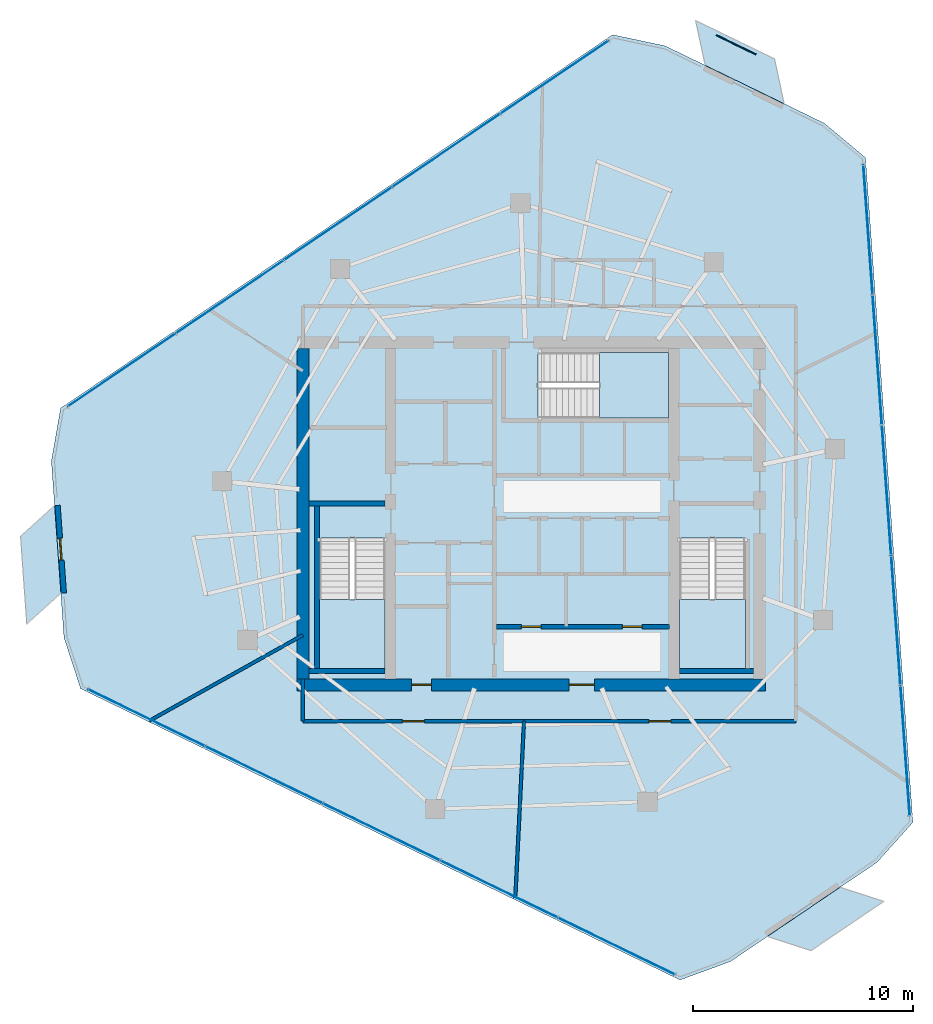
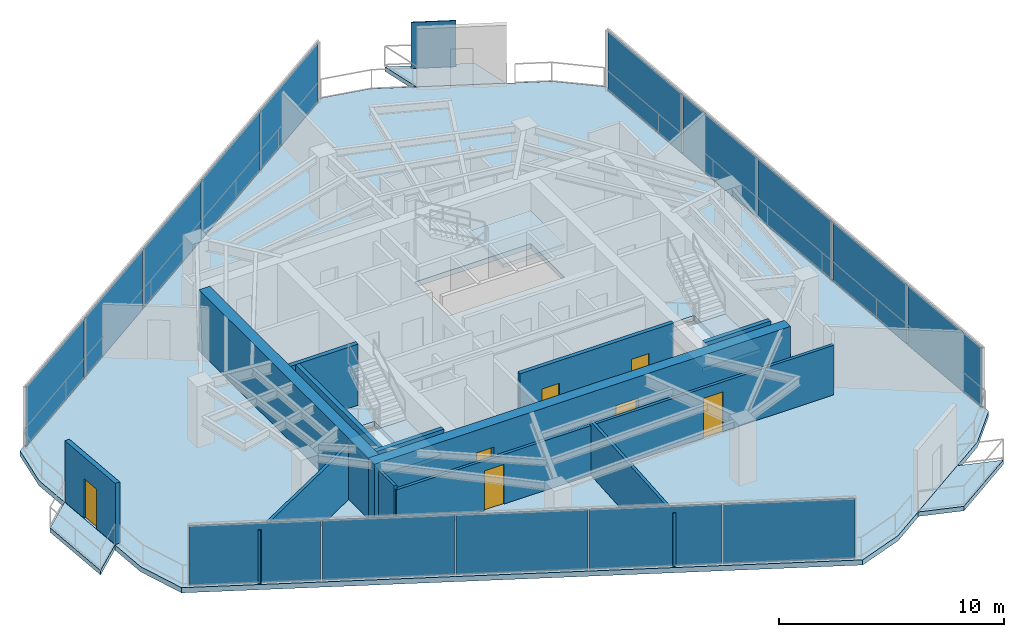
# One storey, part 16 of 20: 16 plates, 13 walls, 7 doors, 7 slabs, 7 openings, 6 elements without a shape of their own.
"""IFC4 building model written with IfcOpenShell, lengths in metres."""

import ifcopenshell
import ifcopenshell.guid

model = None  # the IFC model being written
_history = None  # IfcOwnerHistory: only IFC2X3 demands one
_inside = {}  # id of a spatial element -> (the spatial element, [elements in it])
_under = {}  # id of a project, library or spatial element -> (it, [spatial elements below it])
_declared = {}  # id of a project -> (the project, [libraries it declares])
_typed = {}  # id of a type object -> (the type object, [elements of that type])
_made_of = {}  # id of a material, layer set ... -> (it, [elements and type objects made of it])


def new_model(schema):
    """Start an empty IFC model of exactly this schema.

    Asked for "IFC4X3", IfcOpenShell would pick the latest addendum, in which some entities
    have other attributes; the version numbers below select the first issue.
    IFC2X3 requires an IfcOwnerHistory on every rooted entity: one is made here for all.
    """
    global model, _history
    if schema == "IFC4X3":
        model = ifcopenshell.file(schema_version=(4, 3, 0, 0))
    else:
        model = ifcopenshell.file(schema=schema)
    _inside.clear()
    _under.clear()
    _declared.clear()
    _typed.clear()
    _made_of.clear()
    _history = None
    if model.schema == "IFC2X3":
        org = make("IfcOrganization", Name="unknown")
        user = make(
            "IfcPersonAndOrganization",
            ThePerson=make("IfcPerson", FamilyName="unknown"),
            TheOrganization=org,
        )
        app = make(
            "IfcApplication",
            ApplicationDeveloper=org,
            Version="unknown",
            ApplicationFullName="unknown",
            ApplicationIdentifier="unknown",
        )
        _history = make(
            "IfcOwnerHistory",
            OwningUser=user,
            OwningApplication=app,
            ChangeAction="ADDED",
            CreationDate=0,
        )
    return model


def make(cls, **values):
    """One entity of the class cls with the attributes given. An attribute that is None is left unset."""
    return model.create_entity(
        cls, **{name: value for name, value in values.items() if value is not None}
    )


def rooted(cls, **values):
    """An entity with a GlobalId (a new one), such as an element, a storey or a relation."""
    return make(cls, GlobalId=ifcopenshell.guid.new(), OwnerHistory=_history, **values)


def si_unit(unit_type, name, prefix=None):
    """IfcSIUnit, for example si_unit("LENGTHUNIT", "METRE", prefix="MILLI")."""
    return make("IfcSIUnit", UnitType=unit_type, Prefix=prefix, Name=name)


def assignment(units):
    """IfcUnitAssignment: the units of a project."""
    return None if units is None else make("IfcUnitAssignment", Units=units)


def point(xyz):
    """IfcCartesianPoint."""
    return None if xyz is None else make("IfcCartesianPoint", Coordinates=xyz)


def direction(xyz):
    """IfcDirection."""
    return None if xyz is None else make("IfcDirection", DirectionRatios=xyz)


def frame(location, z_axis=None, x_axis=None):
    """IfcAxis2Placement3D, a coordinate frame: its origin and axes. An axis left out is left unset."""
    return make(
        "IfcAxis2Placement3D",
        Location=point(location),
        Axis=direction(z_axis),
        RefDirection=direction(x_axis),
    )


def frame_2d(location, x_axis=None):
    """IfcAxis2Placement2D, a coordinate frame in the plane: its origin and x axis."""
    return make(
        "IfcAxis2Placement2D", Location=point(location), RefDirection=direction(x_axis)
    )


def origin():
    """The frame at (0, 0, 0) with its axes left unset."""
    return frame((0.0, 0.0, 0.0))


def origin_2d():
    """The frame at (0, 0) in the plane with its x axis left unset."""
    return frame_2d((0.0, 0.0))


def place(relative_to, where):
    """IfcLocalPlacement: puts the frame where relative to a parent placement (None: the world)."""
    return make(
        "IfcLocalPlacement", PlacementRelTo=relative_to, RelativePlacement=where
    )


def context(
    kind, dimensions, precision=None, world=None, true_north=None, identifier=None
):
    """IfcGeometricRepresentationContext, for example the 3D "Model" context."""
    return make(
        "IfcGeometricRepresentationContext",
        ContextIdentifier=identifier,
        ContextType=kind,
        CoordinateSpaceDimension=dimensions,
        Precision=precision,
        WorldCoordinateSystem=world,
        TrueNorth=true_north,
    )


def subcontext(parent, identifier, kind, view, scale=None):
    """IfcGeometricRepresentationSubContext, for example "Body" below "Model"."""
    return make(
        "IfcGeometricRepresentationSubContext",
        ContextIdentifier=identifier,
        ContextType=kind,
        ParentContext=parent,
        TargetScale=scale,
        TargetView=view,
    )


def project(units=None, contexts=None):
    """IfcProject with its units and contexts."""
    return rooted(
        "IfcProject",
        Name="project",
        RepresentationContexts=contexts,
        UnitsInContext=assignment(units),
    )


def spatial(cls, under=None, at=None, **own):
    """A site, building, storey or space (cls), placed at a placement, below another one or the project."""
    s = rooted(cls, ObjectPlacement=at, **own)
    if under is not None:
        _under.setdefault(under.id(), (under, []))[1].append(s)
    return s


def polyline(points):
    """IfcPolyline through the points."""
    return make("IfcPolyline", Points=[point(p) for p in points])


def profile(cls, at=None, kind="AREA", **sizes):
    """A parametric profile (cls). Its sizes go by their IFC names, for example OverallWidth=200.0."""
    return make(cls, ProfileType=kind, Position=at, **sizes)


def rectangle(**sizes):
    """IfcRectangleProfileDef."""
    return profile("IfcRectangleProfileDef", **sizes)


def outline(outer, holes=None, kind="AREA"):
    """IfcArbitraryClosedProfileDef: a profile drawn as a closed curve; with holes, ...WithVoids."""
    if holes is None:
        return make("IfcArbitraryClosedProfileDef", ProfileType=kind, OuterCurve=outer)
    return make(
        "IfcArbitraryProfileDefWithVoids",
        ProfileType=kind,
        OuterCurve=outer,
        InnerCurves=holes,
    )


def extrude(swept, where, along, depth):
    """IfcExtrudedAreaSolid: the profile swept, set in the frame where, extruded along a direction by depth."""
    return make(
        "IfcExtrudedAreaSolid",
        SweptArea=swept,
        Position=where,
        ExtrudedDirection=direction(along),
        Depth=depth,
    )


def shape(context_of_items, identifier, shape_type, items):
    """IfcShapeRepresentation: the items that make up one representation, for example the "Body"."""
    return make(
        "IfcShapeRepresentation",
        ContextOfItems=context_of_items,
        RepresentationIdentifier=identifier,
        RepresentationType=shape_type,
        Items=items,
    )


def material(Name=None, Category=None):
    """IfcMaterial."""
    return make("IfcMaterial", Name=Name, Category=Category)


def layer(
    of_material, thickness, ventilated=None, Name=None, Category=None, Priority=None
):
    """IfcMaterialLayer: one layer of a wall or slab, of a material (None: an air gap)."""
    return make(
        "IfcMaterialLayer",
        Material=of_material,
        LayerThickness=thickness,
        IsVentilated=ventilated,
        Name=Name,
        Category=Category,
        Priority=Priority,
    )


def layer_set(layers, Name=None):
    """IfcMaterialLayerSet."""
    return make("IfcMaterialLayerSet", MaterialLayers=layers, LayerSetName=Name)


def made_of(thing, what):
    """Note that an element or type object is made of a material, layer set ...; save() writes the relation."""
    if what is not None:
        _made_of.setdefault(what.id(), (what, []))[1].append(thing)
    return thing


def type_object(cls, material=None, **own):
    """A type object (cls), such as IfcWallType, which elements share."""
    return made_of(rooted(cls, **own), material)


def element(
    cls,
    number,
    at=None,
    inside=None,
    cuts=None,
    type_object=None,
    material=None,
    context=None,
    identifier="Body",
    shape_type=None,
    held_by="IfcProductDefinitionShape",
    body=None,
    shapes=None,
    **own,
):
    """One element of the class cls, such as IfcWall. Its Tag is "e" and its number.

    at: its placement. inside: the storey or other place that contains it. cuts: it is an
    opening in that element (IfcRelVoidsElement). A single representation is given by context,
    identifier, shape_type and body (its items); several are given by shapes. held_by: the class
    of the entity that holds the representations. save() writes the other relations.
    """
    e = rooted(cls, Tag="e%d" % number, ObjectPlacement=at, **own)
    if body is not None:
        shapes = [shape(context, identifier, shape_type, body)]
    if shapes is not None:
        e.Representation = make(held_by, Representations=shapes)
    if inside is not None:
        _inside.setdefault(inside.id(), (inside, []))[1].append(e)
    if cuts is not None:
        rooted(
            "IfcRelVoidsElement", RelatingBuildingElement=cuts, RelatedOpeningElement=e
        )
    if type_object is not None:
        _typed.setdefault(type_object.id(), (type_object, []))[1].append(e)
    return made_of(e, material)


def fill(opening, filler):
    """IfcRelFillsElement: the door or window that sits in an opening."""
    return rooted(
        "IfcRelFillsElement",
        RelatingOpeningElement=opening,
        RelatedBuildingElement=filler,
    )


def aggregate(whole, parts):
    """IfcRelAggregates: a whole, such as a stair, and the parts it consists of."""
    return rooted("IfcRelAggregates", RelatingObject=whole, RelatedObjects=parts)


def save(model, path):
    """Write the relations noted so far, then the file.

    IfcRelAggregates (storeys below a building ...), IfcRelContainedInSpatialStructure (elements
    in a storey), IfcRelDefinesByType, IfcRelAssociatesMaterial and IfcRelDeclares: one each for
    every whole, place, type object, material and project.
    """
    for whole, parts in _under.values():
        aggregate(whole, parts)
    for where, things in _inside.values():
        rooted(
            "IfcRelContainedInSpatialStructure",
            RelatedElements=things,
            RelatingStructure=where,
        )
    for kind, things in _typed.values():
        rooted("IfcRelDefinesByType", RelatedObjects=things, RelatingType=kind)
    for what, things in _made_of.values():
        rooted("IfcRelAssociatesMaterial", RelatedObjects=things, RelatingMaterial=what)
    for by, libraries in _declared.values():
        rooted("IfcRelDeclares", RelatingContext=by, RelatedDefinitions=libraries)
    model.write(path)


model = new_model("IFC4")

# Units and contexts
model_context = context("Model", 3, precision=1e-05, world=origin(), true_north=direction((0.0, 1.0)))
body_context = subcontext(model_context, "Body", "Model", "MODEL_VIEW")
ifc_project = project(units=[si_unit("LENGTHUNIT", "METRE"), si_unit("AREAUNIT", "SQUARE_METRE"), si_unit("VOLUMEUNIT", "CUBIC_METRE"), si_unit("PLANEANGLEUNIT", "RADIAN"), si_unit("MASSUNIT", "GRAM", prefix="KILO")], contexts=[model_context])

# Site, building, storey
site_placement = place(None, origin())
site = spatial("IfcSite", under=ifc_project, at=site_placement, CompositionType="ELEMENT")
building_placement = place(site_placement, origin())
building = spatial("IfcBuilding", under=site, at=building_placement, Name="Qarnah Convention Tower", CompositionType="ELEMENT")
storey_placement = place(building_placement, frame((0.0, 0.0, 195.0)))
storey = spatial("IfcBuildingStorey", under=building, at=storey_placement, Name="L52", CompositionType="ELEMENT", Elevation=195.0)

# Curtain wall, plates
ifc_material_1 = material(Name="Tempered Low-E dark glass", Category="glass")
ifc_layer_1 = layer(ifc_material_1, 0.174072265625)
ifc_layer_set_1 = layer_set([ifc_layer_1], Name="Tempered Low-E dark glass")
curtain_wall_type = type_object("IfcCurtainWallType", Name="CWS-04", PredefinedType="NOTDEFINED", material=ifc_layer_set_1)
curtain_wall_1_placement = place(storey_placement, origin())
curtain_wall_1 = element("IfcCurtainWall", 1, at=curtain_wall_1_placement, inside=storey, type_object=curtain_wall_type, Name="L52 unitised curtain wall CW-L52-F1", PredefinedType="NOTDEFINED")
ifc_layer_2 = layer(ifc_material_1, 0.033935546875)
ifc_layer_set_2 = layer_set([ifc_layer_2], Name="Tempered Low-E dark glass")
plate_type_1 = type_object("IfcPlateType", Name="PNL-T4", PredefinedType="CURTAIN_PANEL", material=ifc_layer_set_2)
plate_1_placement = place(storey_placement, frame((18.546142578125, 32.942138671875, 0.0400390625), z_axis=(0.0, 0.0, 1.0), x_axis=(0.828250839809, 0.560357516552, 0.0)))
plate_1 = element("IfcPlate", 2, at=plate_1_placement, type_object=plate_type_1, Name="CW-L52-F1 curtain panel 1.1", PredefinedType="CURTAIN_PANEL", context=body_context, shape_type="SweptSolid", body=[
    extrude(rectangle(XDim=5.8701171875, YDim=0.033935546875, at=origin_2d()), origin(), (0.0, 0.0, 1.0), 3.239990234375),
])
plate_2_placement = place(storey_placement, frame((23.474365234375, 36.2763671875, 0.0400390625), z_axis=(0.0, 0.0, 1.0), x_axis=(0.828250839809, 0.560357516552, 0.0)))
plate_2 = element("IfcPlate", 3, at=plate_2_placement, type_object=plate_type_1, Name="CW-L52-F1 curtain panel 2.1", PredefinedType="CURTAIN_PANEL", context=body_context, shape_type="SweptSolid", body=[
    extrude(rectangle(XDim=5.8701171875, YDim=0.033935546875, at=origin_2d()), origin(), (0.0, 0.0, 1.0), 3.239990234375),
])
plate_3_placement = place(storey_placement, frame((28.402587890625, 39.610595703125, 0.0400390625), z_axis=(0.0, 0.0, 1.0), x_axis=(0.828250839809, 0.560357516552, 0.0)))
plate_3 = element("IfcPlate", 4, at=plate_3_placement, type_object=plate_type_1, Name="CW-L52-F1 curtain panel 3.1", PredefinedType="CURTAIN_PANEL", context=body_context, shape_type="SweptSolid", body=[
    extrude(rectangle(XDim=5.8701171875, YDim=0.033935546875, at=origin_2d()), origin(), (0.0, 0.0, 1.0), 3.239990234375),
])
plate_4_placement = place(storey_placement, frame((33.330810546875, 42.944580078125, 0.0400390625), z_axis=(0.0, 0.0, 1.0), x_axis=(0.828250839809, 0.560357516552, 0.0)))
plate_4 = element("IfcPlate", 5, at=plate_4_placement, type_object=plate_type_1, Name="CW-L52-F1 curtain panel 4.1", PredefinedType="CURTAIN_PANEL", context=body_context, shape_type="SweptSolid", body=[
    extrude(rectangle(XDim=5.8701171875, YDim=0.033935546875, at=origin_2d()), origin(), (0.0, 0.0, 1.0), 3.239990234375),
])
plate_5_placement = place(storey_placement, frame((38.2587890625, 46.27880859375, 0.0400390625), z_axis=(0.0, 0.0, 1.0), x_axis=(0.828250839809, 0.560357516552, 0.0)))
plate_5 = element("IfcPlate", 6, at=plate_5_placement, type_object=plate_type_1, Name="CW-L52-F1 curtain panel 5.1", PredefinedType="CURTAIN_PANEL", context=body_context, shape_type="SweptSolid", body=[
    extrude(rectangle(XDim=5.8701171875, YDim=0.033935546875, at=origin_2d()), origin(), (0.0, 0.0, 1.0), 3.239990234375),
])
aggregate(curtain_wall_1, [plate_1, plate_2, plate_3, plate_4, plate_5])

curtain_wall_2_placement = place(storey_placement, origin())
curtain_wall_2 = element("IfcCurtainWall", 7, at=curtain_wall_2_placement, inside=storey, type_object=curtain_wall_type, Name="L52 unitised curtain wall CW-L52-F2", PredefinedType="NOTDEFINED")
plate_6_placement = place(storey_placement, frame((41.082275390625, 6.700439453125, 0.0400390625), z_axis=(0.0, 0.0, 1.0), x_axis=(-0.899399056639, 0.437128513044, 0.0)))
plate_6 = element("IfcPlate", 8, at=plate_6_placement, type_object=plate_type_1, Name="CW-L52-F2 curtain panel 1.1", PredefinedType="CURTAIN_PANEL", context=body_context, shape_type="SweptSolid", body=[
    extrude(rectangle(XDim=5.8701171875, YDim=0.033935546875, at=origin_2d()), origin(), (0.0, 0.0, 1.0), 3.239990234375),
])
plate_7_placement = place(storey_placement, frame((35.730712890625, 9.301513671875, 0.0400390625), z_axis=(0.0, 0.0, 1.0), x_axis=(-0.899399056639, 0.437128513044, 0.0)))
plate_7 = element("IfcPlate", 9, at=plate_7_placement, type_object=plate_type_1, Name="CW-L52-F2 curtain panel 2.1", PredefinedType="CURTAIN_PANEL", context=body_context, shape_type="SweptSolid", body=[
    extrude(rectangle(XDim=5.8701171875, YDim=0.033935546875, at=origin_2d()), origin(), (0.0, 0.0, 1.0), 3.239990234375),
])
plate_8_placement = place(storey_placement, frame((30.37890625, 11.902587890625, 0.0400390625), z_axis=(0.0, 0.0, 1.0), x_axis=(-0.899399056639, 0.437128513044, 0.0)))
plate_8 = element("IfcPlate", 10, at=plate_8_placement, type_object=plate_type_1, Name="CW-L52-F2 curtain panel 3.1", PredefinedType="CURTAIN_PANEL", context=body_context, shape_type="SweptSolid", body=[
    extrude(rectangle(XDim=5.8701171875, YDim=0.033935546875, at=origin_2d()), origin(), (0.0, 0.0, 1.0), 3.239990234375),
])
plate_9_placement = place(storey_placement, frame((25.02734375, 14.50341796875, 0.0400390625), z_axis=(0.0, 0.0, 1.0), x_axis=(-0.899399056639, 0.437128513044, 0.0)))
plate_9 = element("IfcPlate", 11, at=plate_9_placement, type_object=plate_type_1, Name="CW-L52-F2 curtain panel 4.1", PredefinedType="CURTAIN_PANEL", context=body_context, shape_type="SweptSolid", body=[
    extrude(rectangle(XDim=5.8701171875, YDim=0.033935546875, at=origin_2d()), origin(), (0.0, 0.0, 1.0), 3.239990234375),
])
plate_10_placement = place(storey_placement, frame((19.67578125, 17.1044921875, 0.0400390625), z_axis=(0.0, 0.0, 1.0), x_axis=(-0.899399056639, 0.437128513044, 0.0)))
plate_10 = element("IfcPlate", 12, at=plate_10_placement, type_object=plate_type_1, Name="CW-L52-F2 curtain panel 5.1", PredefinedType="CURTAIN_PANEL", context=body_context, shape_type="SweptSolid", body=[
    extrude(rectangle(XDim=5.8701171875, YDim=0.033935546875, at=origin_2d()), origin(), (0.0, 0.0, 1.0), 3.239990234375),
])
aggregate(curtain_wall_2, [plate_6, plate_7, plate_8, plate_9, plate_10])

curtain_wall_3_placement = place(storey_placement, origin())
curtain_wall_3 = element("IfcCurtainWall", 13, at=curtain_wall_3_placement, inside=storey, type_object=curtain_wall_type, Name="L52 unitised curtain wall CW-L52-F3", PredefinedType="NOTDEFINED")
plate_11_placement = place(storey_placement, frame((52.53955078125, 39.337646484375, 0.0400390625), z_axis=(0.0, 0.0, 1.0), x_axis=(0.071127610581, -0.997467224029, 0.0)))
plate_11 = element("IfcPlate", 14, at=plate_11_placement, type_object=plate_type_1, Name="CW-L52-F3 curtain panel 1.1", PredefinedType="CURTAIN_PANEL", context=body_context, shape_type="SweptSolid", body=[
    extrude(rectangle(XDim=5.869873046875, YDim=0.033935546875, at=origin_2d()), origin(), (0.0, 0.0, 1.0), 3.239990234375),
])
plate_12_placement = place(storey_placement, frame((52.962890625, 33.40283203125, 0.0400390625), z_axis=(0.0, 0.0, 1.0), x_axis=(0.071127610581, -0.997467224029, 0.0)))
plate_12 = element("IfcPlate", 15, at=plate_12_placement, type_object=plate_type_1, Name="CW-L52-F3 curtain panel 2.1", PredefinedType="CURTAIN_PANEL", context=body_context, shape_type="SweptSolid", body=[
    extrude(rectangle(XDim=5.869873046875, YDim=0.033935546875, at=origin_2d()), origin(), (0.0, 0.0, 1.0), 3.239990234375),
])
plate_13_placement = place(storey_placement, frame((53.385986328125, 27.468017578125, 0.0400390625), z_axis=(0.0, 0.0, 1.0), x_axis=(0.071127610581, -0.997467224029, 0.0)))
plate_13 = element("IfcPlate", 16, at=plate_13_placement, type_object=plate_type_1, Name="CW-L52-F3 curtain panel 3.1", PredefinedType="CURTAIN_PANEL", context=body_context, shape_type="SweptSolid", body=[
    extrude(rectangle(XDim=5.869873046875, YDim=0.033935546875, at=origin_2d()), origin(), (0.0, 0.0, 1.0), 3.239990234375),
])
plate_14_placement = place(storey_placement, frame((53.80908203125, 21.533203125, 0.0400390625), z_axis=(0.0, 0.0, 1.0), x_axis=(0.071127610581, -0.997467224029, 0.0)))
plate_14 = element("IfcPlate", 17, at=plate_14_placement, type_object=plate_type_1, Name="CW-L52-F3 curtain panel 4.1", PredefinedType="CURTAIN_PANEL", context=body_context, shape_type="SweptSolid", body=[
    extrude(rectangle(XDim=5.869873046875, YDim=0.033935546875, at=origin_2d()), origin(), (0.0, 0.0, 1.0), 3.239990234375),
])
plate_15_placement = place(storey_placement, frame((54.232421875, 15.598388671875, 0.0400390625), z_axis=(0.0, 0.0, 1.0), x_axis=(0.071127610581, -0.997467224029, 0.0)))
plate_15 = element("IfcPlate", 18, at=plate_15_placement, type_object=plate_type_1, Name="CW-L52-F3 curtain panel 5.1", PredefinedType="CURTAIN_PANEL", context=body_context, shape_type="SweptSolid", body=[
    extrude(rectangle(XDim=5.869873046875, YDim=0.033935546875, at=origin_2d()), origin(), (0.0, 0.0, 1.0), 3.239990234375),
])
aggregate(curtain_wall_3, [plate_11, plate_12, plate_13, plate_14, plate_15])

# Plate
ifc_material_2 = material(Name="Black anodised aluminium", Category="aluminium")
ifc_layer_3 = layer(ifc_material_2, 0.044921875)
ifc_layer_set_3 = layer_set([ifc_layer_3], Name="Black anodised aluminium")
plate_type_2 = type_object("IfcPlateType", Name="SCR-BAL-18", PredefinedType="USERDEFINED", material=ifc_layer_set_3)
plate_16_placement = place(storey_placement, frame((46.533935546875, 47.75390625, 0.0), z_axis=(0.0, 0.0, 1.0), x_axis=(0.899322841208, -0.43728529278, 0.0)))
element("IfcPlate", 19, at=plate_16_placement, inside=storey, type_object=plate_type_2, Name="L52 perforated desert solar screen BAL-L52-C1", ObjectType="SCREEN", PredefinedType="USERDEFINED", context=body_context, shape_type="SweptSolid", body=[
    extrude(rectangle(XDim=2.0, YDim=0.044921875, at=origin_2d()), origin(), (0.0, 0.0, 1.0), 2.5),
])

# Slabs
ifc_material_3 = material(Name="Concrete C45/55", Category="concrete")
ifc_layer_4 = layer(ifc_material_3, 0.239990234375)
ifc_layer_set_4 = layer_set([ifc_layer_4], Name="Concrete C45/55")
slab_type_1 = type_object("IfcSlabType", Name="SLB-BAL-240", PredefinedType="USERDEFINED", material=ifc_layer_set_4)
slab_1_placement = place(storey_placement, frame((0.0, 0.0, -0.239990234375)))
element("IfcSlab", 20, at=slab_1_placement, inside=storey, type_object=slab_type_1, Name="L52 cantilevered balcony slab BAL-L52-C1", ObjectType="BALCONY", PredefinedType="USERDEFINED", context=body_context, shape_type="SweptSolid", body=[
    extrude(outline(polyline([(44.68505859375, 48.863037109375), (48.281982421875, 47.114013671875), (48.719970703125, 45.069091796875), (45.123046875, 46.81689453125), (44.68505859375, 48.863037109375)])), origin(), (0.0, 0.0, 1.0), 0.239990234375),
])
slab_2_placement = place(storey_placement, frame((0.0, 0.0, -0.239990234375)))
element("IfcSlab", 21, at=slab_2_placement, inside=storey, type_object=slab_type_1, Name="L52 cantilevered balcony slab BAL-L52-C2", ObjectType="BALCONY", PredefinedType="USERDEFINED", context=body_context, shape_type="SweptSolid", body=[
    extrude(outline(polyline([(14.22509765625, 21.376953125), (13.93994140625, 25.366943359375), (15.492919921875, 26.76904296875), (15.778076171875, 22.779052734375), (14.22509765625, 21.376953125)])), origin(), (0.0, 0.0, 1.0), 0.239990234375),
])
slab_3_placement = place(storey_placement, frame((0.0, 0.0, -0.239990234375)))
element("IfcSlab", 22, at=slab_3_placement, inside=storey, type_object=slab_type_1, Name="L52 cantilevered balcony slab BAL-L52-C3", ObjectType="BALCONY", PredefinedType="USERDEFINED", context=body_context, shape_type="SweptSolid", body=[
    extrude(outline(polyline([(53.258056640625, 8.740966796875), (49.945068359375, 6.5), (47.9541015625, 7.14404296875), (51.26611328125, 9.385009765625), (53.258056640625, 8.740966796875)])), origin(), (0.0, 0.0, 1.0), 0.239990234375),
])

# Stair, slab
ifc_material_4 = material(Name="Concrete C50/60", Category="concrete")
stair_type = type_object("IfcStairType", Name="STR-OFF", PredefinedType="HALF_TURN_STAIR", material=ifc_material_4)
stair_1_placement = place(storey_placement, origin())
stair_1 = element("IfcStair", 23, at=stair_1_placement, inside=storey, type_object=stair_type, Name="L52 Core exit stair ST-1", PredefinedType="HALF_TURN_STAIR")
ifc_layer_5 = layer(ifc_material_4, 0.199951171875)
ifc_layer_set_5 = layer_set([ifc_layer_5], Name="Concrete C50/60")
slab_type_2 = type_object("IfcSlabType", Name="SLB-LANDING-200", PredefinedType="LANDING", material=ifc_layer_set_5)
slab_4_placement = place(storey_placement, frame((0.0, 0.0, 1.60009765625)))
slab_4 = element("IfcSlab", 24, at=slab_4_placement, type_object=slab_type_2, Name="ST-1 landing 1", PredefinedType="LANDING", context=body_context, shape_type="SweptSolid", body=[
    extrude(outline(polyline([(27.550048828125, 22.5), (27.550048828125, 19.35009765625), (30.550048828125, 19.35009765625), (30.550048828125, 22.5), (27.550048828125, 22.5)])), origin(), (0.0, 0.0, 1.0), 0.199951171875),
])
aggregate(stair_1, [slab_4])

stair_2_placement = place(storey_placement, origin())
stair_2 = element("IfcStair", 25, at=stair_2_placement, inside=storey, type_object=stair_type, Name="L52 Core exit stair ST-2", PredefinedType="HALF_TURN_STAIR")
slab_5_placement = place(storey_placement, frame((0.0, 0.0, 1.60009765625)))
slab_5 = element("IfcSlab", 26, at=slab_5_placement, type_object=slab_type_2, Name="ST-2 landing 1", PredefinedType="LANDING", context=body_context, shape_type="SweptSolid", body=[
    extrude(outline(polyline([(43.949951171875, 22.5), (43.949951171875, 19.35009765625), (46.949951171875, 19.35009765625), (46.949951171875, 22.5), (43.949951171875, 22.5)])), origin(), (0.0, 0.0, 1.0), 0.199951171875),
])
aggregate(stair_2, [slab_5])

stair_3_placement = place(storey_placement, origin())
stair_3 = element("IfcStair", 27, at=stair_3_placement, inside=storey, type_object=stair_type, Name="L52 Core exit stair ST-3", PredefinedType="HALF_TURN_STAIR")
slab_6_placement = place(storey_placement, frame((0.0, 0.0, 1.60009765625)))
slab_6 = element("IfcSlab", 28, at=slab_6_placement, type_object=slab_type_2, Name="ST-3 landing 1", PredefinedType="LANDING", context=body_context, shape_type="SweptSolid", body=[
    extrude(outline(polyline([(40.300048828125, 30.75), (43.449951171875, 30.75), (43.449951171875, 33.75), (40.300048828125, 33.75), (40.300048828125, 30.75)])), origin(), (0.0, 0.0, 1.0), 0.199951171875),
])
aggregate(stair_3, [slab_6])

# Slab
ifc_layer_6 = layer(ifc_material_3, 0.280029296875)
ifc_layer_set_6 = layer_set([ifc_layer_6], Name="Concrete C45/55")
slab_type_3 = type_object("IfcSlabType", Name="SLB-TWR-280", PredefinedType="FLOOR", material=ifc_layer_set_6)
slab_7_placement = place(storey_placement, frame((0.0, 0.0, -0.280029296875)))
element("IfcSlab", 29, at=slab_7_placement, inside=storey, type_object=slab_type_3, Name="L52 structural floor slab", PredefinedType="FLOOR", context=body_context, shape_type="SweptSolid", body=[
    extrude(outline(polyline([(40.904052734375, 48.212890625), (15.76611328125, 31.2060546875), (15.344970703125, 28.7958984375), (15.91796875, 20.75390625), (16.677978515625, 18.427978515625), (43.97509765625, 5.160888671875), (46.27294921875, 6.001953125), (52.949951171875, 10.51904296875), (54.5849609375, 12.340087890625), (52.426025390625, 42.613037109375), (50.549072265625, 44.18408203125), (43.298095703125, 47.7080078125), (40.904052734375, 48.212890625)]), holes=[polyline([(27.550048828125, 25.300048828125), (27.550048828125, 19.35009765625), (30.550048828125, 19.35009765625), (30.550048828125, 25.300048828125), (27.550048828125, 25.300048828125)]), polyline([(43.949951171875, 25.300048828125), (43.949951171875, 19.35009765625), (46.949951171875, 19.35009765625), (46.949951171875, 25.300048828125), (43.949951171875, 25.300048828125)]), polyline([(37.5, 30.75), (43.449951171875, 30.75), (43.449951171875, 33.75), (37.5, 33.75), (37.5, 30.75)])]), origin(), (0.0, 0.0, 1.0), 0.280029296875),
])

# Wall, openings, doors
ifc_material_5 = material(Name="Concrete C60/75", Category="concrete")
ifc_layer_7 = layer(ifc_material_5, 0.550048828125)
ifc_layer_set_7 = layer_set([ifc_layer_7], Name="Concrete C60/75")
wall_type_1 = type_object("IfcWallType", Name="WL-CORE-550", PredefinedType="SHEAR", material=ifc_layer_set_7)
wall_1_placement = place(storey_placement, frame((26.52490234375, 18.60009765625, 0.0), z_axis=(0.0, 0.0, 1.0), x_axis=(1.0, 0.0, 0.0)))
wall_1 = element("IfcWall", 30, at=wall_1_placement, inside=storey, type_object=wall_type_1, Name="L52 core south shear wall", PredefinedType="SHEAR", context=body_context, shape_type="SweptSolid", body=[
    extrude(rectangle(XDim=21.35009765625, YDim=0.550048828125, at=frame_2d((10.675048828125, 0.0))), origin(), (0.0, 0.0, 1.0), 3.320068359375),
])
opening_1_placement = place(wall_1_placement, frame((12.39990234375, 0.0, 0.0)))
opening_1 = element("IfcOpeningElement", 31, at=opening_1_placement, cuts=wall_1, Name="Opening D-5207", PredefinedType="OPENING", context=body_context, shape_type="SweptSolid", body=[
    extrude(rectangle(XDim=1.14990234375, YDim=2.14990234375, at=frame_2d((0.574951171875, 1.074951171875))), frame((0.0, 0.284912109375, 0.0), z_axis=(0.0, -1.0, 0.0), x_axis=(1.0, 0.0, 0.0)), (0.0, 0.0, 1.0), 0.570068359375),
])
opening_2_placement = place(wall_1_placement, frame((5.22509765625, 0.0, 0.0)))
opening_2 = element("IfcOpeningElement", 32, at=opening_2_placement, cuts=wall_1, Name="Opening D-5213", PredefinedType="OPENING", context=body_context, shape_type="SweptSolid", body=[
    extrude(rectangle(XDim=0.89990234375, YDim=2.10009765625, at=frame_2d((0.449951171875, 1.050048828125))), frame((0.0, 0.284912109375, 0.0), z_axis=(0.0, -1.0, 0.0), x_axis=(1.0, 0.0, 0.0)), (0.0, 0.0, 1.0), 0.570068359375),
])
ifc_material_6 = material(Name="Structural steel S355JR", Category="steel")
door_type_1 = type_object("IfcDoorType", Name="DT-LOBBY-1150", OperationType="NOTDEFINED", PredefinedType="DOOR", material=ifc_material_6)
door_1_placement = place(opening_1_placement, origin())
door_1 = element("IfcDoor", 33, at=door_1_placement, inside=storey, type_object=door_type_1, Name="Door D-5207", OperationType="SINGLE_SWING_LEFT", OverallHeight=2.14990234375, OverallWidth=1.14990234375, PredefinedType="DOOR", context=body_context, shape_type="SweptSolid", body=[
    extrude(rectangle(XDim=1.14990234375, YDim=2.14990234375, at=frame_2d((0.574951171875, 1.074951171875))), frame((0.0, 0.02490234375, 0.0), z_axis=(0.0, -1.0, 0.0), x_axis=(1.0, 0.0, 0.0)), (0.0, 0.0, 1.0), 0.050048828125),
])
fill(opening_1, door_1)
door_type_2 = type_object("IfcDoorType", Name="DT-RISER-900", OperationType="NOTDEFINED", PredefinedType="DOOR", material=ifc_material_6)
door_2_placement = place(opening_2_placement, origin())
door_2 = element("IfcDoor", 34, at=door_2_placement, inside=storey, type_object=door_type_2, Name="Door D-5213", OperationType="SINGLE_SWING_LEFT", OverallHeight=2.10009765625, OverallWidth=0.89990234375, PredefinedType="DOOR", context=body_context, shape_type="SweptSolid", body=[
    extrude(rectangle(XDim=0.89990234375, YDim=2.10009765625, at=frame_2d((0.449951171875, 1.050048828125))), frame((0.0, 0.02490234375, 0.0), z_axis=(0.0, -1.0, 0.0), x_axis=(1.0, 0.0, 0.0)), (0.0, 0.0, 1.0), 0.050048828125),
])
fill(opening_2, door_2)

# Wall
wall_2_placement = place(storey_placement, frame((26.800048828125, 18.875, 0.0), z_axis=(0.0, 0.0, 1.0), x_axis=(0.0, 1.0, 0.0)))
element("IfcWall", 35, at=wall_2_placement, inside=storey, type_object=wall_type_1, Name="L52 core west shear wall", PredefinedType="SHEAR", context=body_context, shape_type="SweptSolid", body=[
    extrude(rectangle(XDim=15.050048828125, YDim=0.550048828125, at=frame_2d((7.52490234375, 0.0))), origin(), (0.0, 0.0, 1.0), 3.320068359375),
])

# Wall, openings, doors
ifc_layer_8 = layer(ifc_material_3, 0.199951171875)
ifc_layer_set_8 = layer_set([ifc_layer_8], Name="Concrete C45/55")
wall_type_2 = type_object("IfcWallType", Name="WL-CORE-PART-200", PredefinedType="SOLIDWALL", material=ifc_layer_set_8)
wall_3_placement = place(storey_placement, frame((35.6201171875, 21.25, 0.0), z_axis=(0.0, 0.0, 1.0), x_axis=(1.0, 0.0, 0.0)))
wall_3 = element("IfcWall", 36, at=wall_3_placement, inside=storey, type_object=wall_type_2, Name="L52 interior wall IW-L52-PLS", PredefinedType="SOLIDWALL", context=body_context, shape_type="SweptSolid", body=[
    extrude(rectangle(XDim=7.8798828125, YDim=0.199951171875, at=frame_2d((3.93994140625, 0.0))), origin(), (0.0, 0.0, 1.0), 3.320068359375),
])
opening_3_placement = place(wall_3_placement, frame((1.1298828125, 0.0, 0.0)))
opening_3 = element("IfcOpeningElement", 37, at=opening_3_placement, cuts=wall_3, Name="Opening D-5216", PredefinedType="OPENING", context=body_context, shape_type="SweptSolid", body=[
    extrude(rectangle(XDim=0.89990234375, YDim=2.10009765625, at=frame_2d((0.449951171875, 1.050048828125))), frame((0.0, 0.10986328125, 0.0), z_axis=(0.0, -1.0, 0.0), x_axis=(1.0, 0.0, 0.0)), (0.0, 0.0, 1.0), 0.219970703125),
])
opening_4_placement = place(wall_3_placement, frame((5.72998046875, 0.0, 0.0)))
opening_4 = element("IfcOpeningElement", 38, at=opening_4_placement, cuts=wall_3, Name="Opening D-5217", PredefinedType="OPENING", context=body_context, shape_type="SweptSolid", body=[
    extrude(rectangle(XDim=0.89990234375, YDim=2.10009765625, at=frame_2d((0.449951171875, 1.050048828125))), frame((0.0, 0.10986328125, 0.0), z_axis=(0.0, -1.0, 0.0), x_axis=(1.0, 0.0, 0.0)), (0.0, 0.0, 1.0), 0.219970703125),
])
door_3_placement = place(opening_3_placement, origin())
door_3 = element("IfcDoor", 39, at=door_3_placement, inside=storey, type_object=door_type_2, Name="Door D-5216", OperationType="SINGLE_SWING_RIGHT", OverallHeight=2.10009765625, OverallWidth=0.89990234375, PredefinedType="DOOR", context=body_context, shape_type="SweptSolid", body=[
    extrude(rectangle(XDim=0.89990234375, YDim=2.10009765625, at=frame_2d((0.449951171875, 1.050048828125))), frame((0.0, 0.02490234375, 0.0), z_axis=(0.0, -1.0, 0.0), x_axis=(1.0, 0.0, 0.0)), (0.0, 0.0, 1.0), 0.050048828125),
])
fill(opening_3, door_3)
door_4_placement = place(opening_4_placement, origin())
door_4 = element("IfcDoor", 40, at=door_4_placement, inside=storey, type_object=door_type_2, Name="Door D-5217", OperationType="SINGLE_SWING_LEFT", OverallHeight=2.10009765625, OverallWidth=0.89990234375, PredefinedType="DOOR", context=body_context, shape_type="SweptSolid", body=[
    extrude(rectangle(XDim=0.89990234375, YDim=2.10009765625, at=frame_2d((0.449951171875, 1.050048828125))), frame((0.0, 0.02490234375, 0.0), z_axis=(0.0, -1.0, 0.0), x_axis=(1.0, 0.0, 0.0)), (0.0, 0.0, 1.0), 0.050048828125),
])
fill(opening_4, door_4)

# Walls
ifc_layer_9 = layer(ifc_material_5, 0.219970703125)
ifc_layer_set_9 = layer_set([ifc_layer_9], Name="Concrete C60/75")
wall_type_3 = type_object("IfcWallType", Name="WL-CORE-STAIR-220", PredefinedType="SHEAR", material=ifc_layer_set_9)
wall_4_placement = place(storey_placement, frame((27.074951171875, 26.860107421875, 0.0), z_axis=(0.0, 0.0, 1.0), x_axis=(1.0, 0.0, 0.0)))
element("IfcWall", 41, at=wall_4_placement, inside=storey, type_object=wall_type_3, Name="L52 stair shaft shear wall SW-L52-ST1N", PredefinedType="SHEAR", context=body_context, shape_type="SweptSolid", body=[
    extrude(rectangle(XDim=3.47509765625, YDim=0.219970703125, at=frame_2d((1.737548828125, 0.0))), origin(), (0.0, 0.0, 1.0), 3.320068359375),
])
wall_5_placement = place(storey_placement, frame((27.43994140625, 19.35009765625, 0.0), z_axis=(0.0, 0.0, 1.0), x_axis=(0.0, 1.0, 0.0)))
element("IfcWall", 42, at=wall_5_placement, inside=storey, type_object=wall_type_3, Name="L52 stair shaft shear wall SW-L52-ST1W", PredefinedType="SHEAR", context=body_context, shape_type="SweptSolid", body=[
    extrude(rectangle(XDim=7.39990234375, YDim=0.219970703125, at=frame_2d((3.699951171875, 0.0))), origin(), (0.0, 0.0, 1.0), 3.320068359375),
])
wall_6_placement = place(storey_placement, frame((27.074951171875, 19.239990234375, 0.0), z_axis=(0.0, 0.0, 1.0), x_axis=(1.0, 0.0, 0.0)))
element("IfcWall", 43, at=wall_6_placement, inside=storey, type_object=wall_type_3, Name="L52 stair shaft shear wall SW-L52-ST1S", PredefinedType="SHEAR", context=body_context, shape_type="SweptSolid", body=[
    extrude(rectangle(XDim=3.47509765625, YDim=0.219970703125, at=frame_2d((1.737548828125, 0.0))), origin(), (0.0, 0.0, 1.0), 3.320068359375),
])
wall_7_placement = place(storey_placement, frame((43.949951171875, 19.239990234375, 0.0), z_axis=(0.0, 0.0, 1.0), x_axis=(1.0, 0.0, 0.0)))
element("IfcWall", 44, at=wall_7_placement, inside=storey, type_object=wall_type_3, Name="L52 stair shaft shear wall SW-L52-ST2S", PredefinedType="SHEAR", context=body_context, shape_type="SweptSolid", body=[
    extrude(rectangle(XDim=3.375, YDim=0.219970703125, at=frame_2d((1.6875, 0.0))), origin(), (0.0, 0.0, 1.0), 3.320068359375),
])

# Wall, opening, door
ifc_material_7 = material(Name="Precast concrete C45/55", Category="concrete")
ifc_layer_10 = layer(ifc_material_7, 0.239990234375)
ifc_layer_set_10 = layer_set([ifc_layer_10], Name="Precast concrete C45/55")
wall_type_4 = type_object("IfcWallType", Name="WL-EXT-BAL-240", PredefinedType="SOLIDWALL", material=ifc_layer_set_10)
wall_8_placement = place(storey_placement, frame((15.9130859375, 22.7900390625, 0.0), z_axis=(0.0, 0.0, 1.0), x_axis=(-0.071043189852, 0.997473240331, 0.0)))
wall_8 = element("IfcWall", 45, at=wall_8_placement, inside=storey, type_object=wall_type_4, Name="L52 loggia threshold wall BAL-L52-C2", PredefinedType="SOLIDWALL", context=body_context, shape_type="SweptSolid", body=[
    extrude(rectangle(XDim=4.0, YDim=0.239990234375, at=frame_2d((2.0, 0.0))), origin(), (0.0, 0.0, 1.0), 3.320068359375),
])
opening_5_placement = place(wall_8_placement, frame((1.5, 0.0, 0.0)))
opening_5 = element("IfcOpeningElement", 46, at=opening_5_placement, cuts=wall_8, Name="Opening BD-5202", PredefinedType="OPENING", context=body_context, shape_type="SweptSolid", body=[
    extrude(rectangle(XDim=1.0, YDim=2.14990234375, at=frame_2d((0.5, 1.074951171875))), frame((0.0, 0.1298828125, 0.0), z_axis=(0.0, -1.0, 0.0), x_axis=(1.0, 0.0, 0.0)), (0.0, 0.0, 1.0), 0.260009765625),
])
door_type_3 = type_object("IfcDoorType", Name="DT-BAL-1000", OperationType="NOTDEFINED", PredefinedType="DOOR", material=ifc_material_2)
door_5_placement = place(opening_5_placement, origin())
door_5 = element("IfcDoor", 47, at=door_5_placement, inside=storey, type_object=door_type_3, Name="L52 balcony terrace door BAL-L52-C2", OperationType="SINGLE_SWING_RIGHT", OverallHeight=2.14990234375, OverallWidth=1.0, PredefinedType="DOOR", context=body_context, shape_type="SweptSolid", body=[
    extrude(rectangle(XDim=1.0, YDim=2.14990234375, at=frame_2d((0.5, 1.074951171875))), frame((0.0, 0.02490234375, 0.0), z_axis=(0.0, -1.0, 0.0), x_axis=(1.0, 0.0, 0.0)), (0.0, 0.0, 1.0), 0.050048828125),
])
fill(opening_5, door_5)

# Walls
ifc_material_8 = material(Name="Gypsum partition board")
ifc_layer_11 = layer(ifc_material_8, 0.14990234375)
ifc_layer_set_11 = layer_set([ifc_layer_11], Name="Gypsum partition board")
wall_type_5 = type_object("IfcWallType", Name="WL-SUITE-150", PredefinedType="PARTITIONING", material=ifc_layer_set_11)
wall_9_placement = place(storey_placement, frame((19.820068359375, 16.972900390625, 0.0), z_axis=(0.0, 0.0, 1.0), x_axis=(0.873122432362, 0.487500992928, 0.0)))
element("IfcWall", 48, at=wall_9_placement, inside=storey, type_object=wall_type_5, Name="L52 interior wall IW-L52-R-18", PredefinedType="PARTITIONING", context=body_context, shape_type="SweptSolid", body=[
    extrude(rectangle(XDim=7.994384765625, YDim=0.14990234375, at=frame_2d((3.9970703125, 0.0))), origin(), (0.0, 0.0, 1.0), 2.905029296875),
])
wall_10_placement = place(storey_placement, frame((36.47509765625, 8.887939453125, 0.0), z_axis=(0.0, 0.0, 1.0), x_axis=(0.048938927636, 0.998801772807, 0.0)))
element("IfcWall", 49, at=wall_10_placement, inside=storey, type_object=wall_type_5, Name="L52 interior wall IW-L52-R-19", PredefinedType="PARTITIONING", context=body_context, shape_type="SweptSolid", body=[
    extrude(rectangle(XDim=8.07177734375, YDim=0.14990234375, at=frame_2d((4.035888671875, 0.0))), origin(), (0.0, 0.0, 1.0), 2.905029296875),
])

# Wall, opening, door
wall_11_placement = place(storey_placement, frame((36.8701171875, 16.949951171875, 0.0), z_axis=(0.0, 0.0, 1.0), x_axis=(-1.0, 0.0, 0.0)))
wall_11 = element("IfcWall", 50, at=wall_11_placement, inside=storey, type_object=wall_type_5, Name="L52 interior wall IW-L52-R-20", PredefinedType="PARTITIONING", context=body_context, shape_type="SweptSolid", body=[
    extrude(rectangle(XDim=10.070068359375, YDim=0.14990234375, at=frame_2d((5.03515625, 0.0))), origin(), (0.0, 0.0, 1.0), 2.697021484375),
])
opening_6_placement = place(wall_11_placement, frame((4.534912109375, 0.0, 0.0)))
opening_6 = element("IfcOpeningElement", 51, at=opening_6_placement, cuts=wall_11, Name="Opening D-5223", PredefinedType="OPENING", context=body_context, shape_type="SweptSolid", body=[
    extrude(rectangle(XDim=1.0, YDim=2.14990234375, at=frame_2d((0.5, 1.074951171875))), frame((0.0, 0.0849609375, 0.0), z_axis=(0.0, -1.0, 0.0), x_axis=(1.0, 0.0, 0.0)), (0.0, 0.0, 1.0), 0.169921875),
])
ifc_material_9 = material(Name="Oak timber veneer", Category="wood")
door_type_4 = type_object("IfcDoorType", Name="DT-OFFICE-1000", OperationType="NOTDEFINED", PredefinedType="DOOR", material=ifc_material_9)
door_6_placement = place(opening_6_placement, origin())
door_6 = element("IfcDoor", 52, at=door_6_placement, inside=storey, type_object=door_type_4, Name="Door D-5223", OperationType="SINGLE_SWING_LEFT", OverallHeight=2.14990234375, OverallWidth=1.0, PredefinedType="DOOR", context=body_context, shape_type="SweptSolid", body=[
    extrude(rectangle(XDim=1.0, YDim=2.14990234375, at=frame_2d((0.5, 1.074951171875))), frame((0.0, 0.02490234375, 0.0), z_axis=(0.0, -1.0, 0.0), x_axis=(1.0, 0.0, 0.0)), (0.0, 0.0, 1.0), 0.050048828125),
])
fill(opening_6, door_6)

# Wall
wall_12_placement = place(storey_placement, frame((26.800048828125, 16.949951171875, 0.0), z_axis=(0.0, 0.0, 1.0), x_axis=(0.0, 1.0, 0.0)))
element("IfcWall", 53, at=wall_12_placement, inside=storey, type_object=wall_type_5, Name="L52 interior wall IW-L52-R-21", PredefinedType="PARTITIONING", context=body_context, shape_type="SweptSolid", body=[
    extrude(rectangle(XDim=1.925048828125, YDim=0.14990234375, at=frame_2d((0.96240234375, 0.0))), origin(), (0.0, 0.0, 1.0), 2.905029296875),
])

# Wall, opening, door
wall_13_placement = place(storey_placement, frame((49.25, 16.949951171875, 0.0), z_axis=(0.0, 0.0, 1.0), x_axis=(-1.0, 0.0, 0.0)))
wall_13 = element("IfcWall", 54, at=wall_13_placement, inside=storey, type_object=wall_type_5, Name="L52 interior wall IW-L52-R-24", PredefinedType="PARTITIONING", context=body_context, shape_type="SweptSolid", body=[
    extrude(rectangle(XDim=12.3798828125, YDim=0.14990234375, at=frame_2d((6.18994140625, 0.0))), origin(), (0.0, 0.0, 1.0), 2.697021484375),
])
opening_7_placement = place(wall_13_placement, frame((5.68994140625, 0.0, 0.0)))
opening_7 = element("IfcOpeningElement", 55, at=opening_7_placement, cuts=wall_13, Name="Opening D-5224", PredefinedType="OPENING", context=body_context, shape_type="SweptSolid", body=[
    extrude(rectangle(XDim=1.0, YDim=2.14990234375, at=frame_2d((0.5, 1.074951171875))), frame((0.0, 0.0849609375, 0.0), z_axis=(0.0, -1.0, 0.0), x_axis=(1.0, 0.0, 0.0)), (0.0, 0.0, 1.0), 0.169921875),
])
door_7_placement = place(opening_7_placement, origin())
door_7 = element("IfcDoor", 56, at=door_7_placement, inside=storey, type_object=door_type_4, Name="Door D-5224", OperationType="SINGLE_SWING_RIGHT", OverallHeight=2.14990234375, OverallWidth=1.0, PredefinedType="DOOR", context=body_context, shape_type="SweptSolid", body=[
    extrude(rectangle(XDim=1.0, YDim=2.14990234375, at=frame_2d((0.5, 1.074951171875))), frame((0.0, 0.02490234375, 0.0), z_axis=(0.0, -1.0, 0.0), x_axis=(1.0, 0.0, 0.0)), (0.0, 0.0, 1.0), 0.050048828125),
])
fill(opening_7, door_7)

save(model, "model.ifc")
